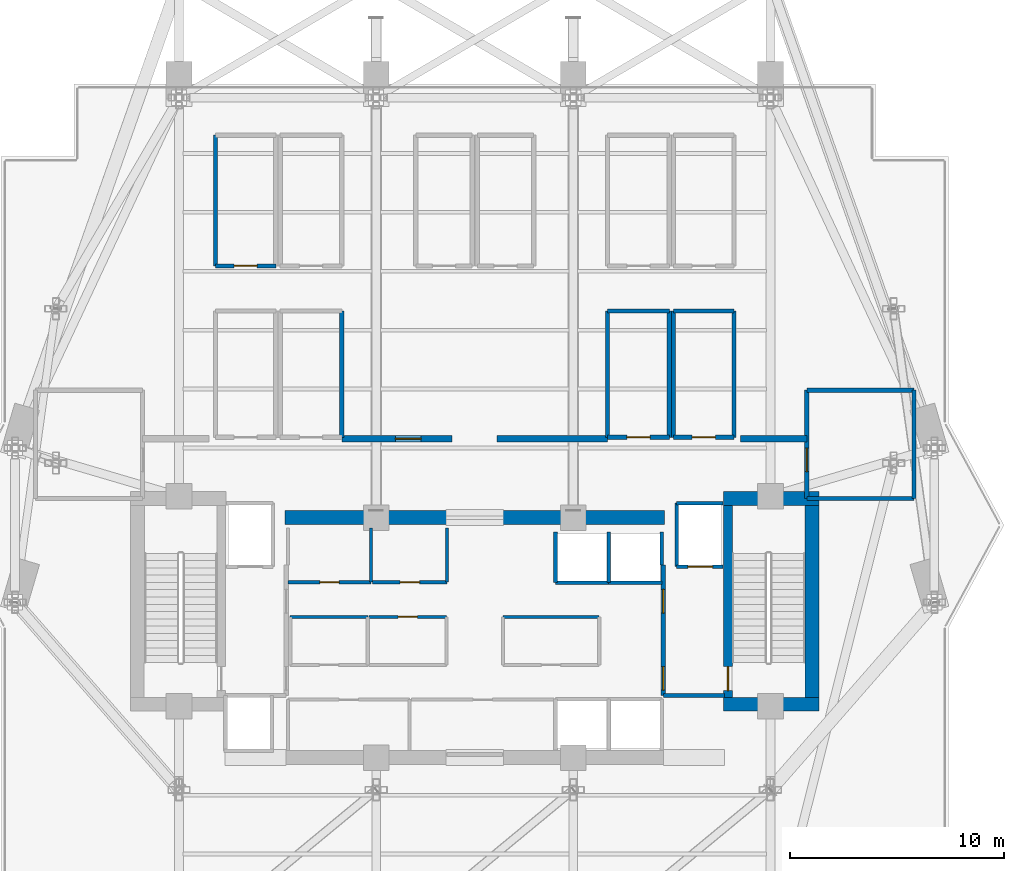
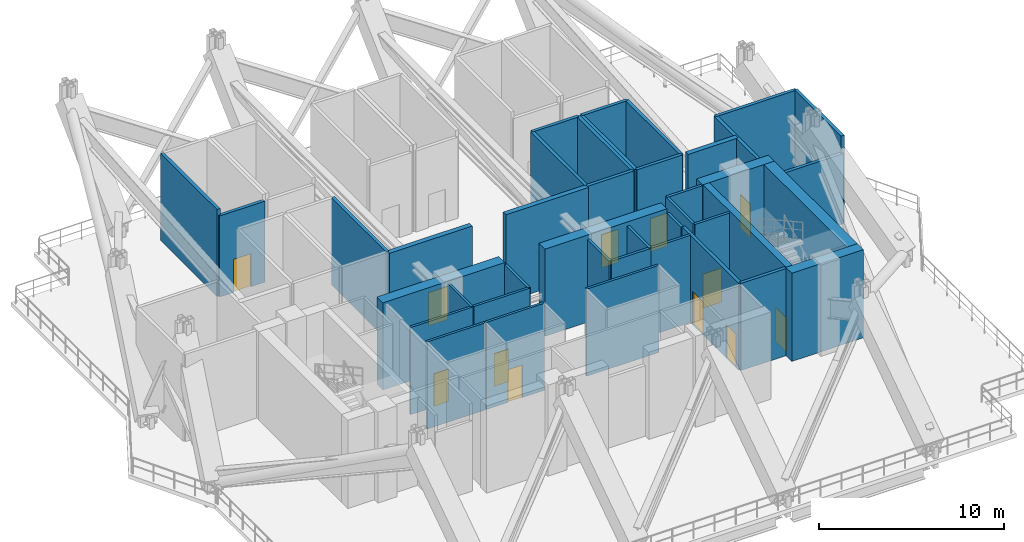
# One storey, part 13 of 18: 41 walls, 12 doors, 12 openings.
"""IFC4 building model written with IfcOpenShell, lengths in metres."""

import ifcopenshell
import ifcopenshell.guid

model = None  # the IFC model being written
_history = None  # IfcOwnerHistory: only IFC2X3 demands one
_inside = {}  # id of a spatial element -> (the spatial element, [elements in it])
_under = {}  # id of a project, library or spatial element -> (it, [spatial elements below it])
_declared = {}  # id of a project -> (the project, [libraries it declares])
_typed = {}  # id of a type object -> (the type object, [elements of that type])
_made_of = {}  # id of a material, layer set ... -> (it, [elements and type objects made of it])


def new_model(schema):
    """Start an empty IFC model of exactly this schema.

    Asked for "IFC4X3", IfcOpenShell would pick the latest addendum, in which some entities
    have other attributes; the version numbers below select the first issue.
    IFC2X3 requires an IfcOwnerHistory on every rooted entity: one is made here for all.
    """
    global model, _history
    if schema == "IFC4X3":
        model = ifcopenshell.file(schema_version=(4, 3, 0, 0))
    else:
        model = ifcopenshell.file(schema=schema)
    _inside.clear()
    _under.clear()
    _declared.clear()
    _typed.clear()
    _made_of.clear()
    _history = None
    if model.schema == "IFC2X3":
        org = make("IfcOrganization", Name="unknown")
        user = make(
            "IfcPersonAndOrganization",
            ThePerson=make("IfcPerson", FamilyName="unknown"),
            TheOrganization=org,
        )
        app = make(
            "IfcApplication",
            ApplicationDeveloper=org,
            Version="unknown",
            ApplicationFullName="unknown",
            ApplicationIdentifier="unknown",
        )
        _history = make(
            "IfcOwnerHistory",
            OwningUser=user,
            OwningApplication=app,
            ChangeAction="ADDED",
            CreationDate=0,
        )
    return model


def make(cls, **values):
    """One entity of the class cls with the attributes given. An attribute that is None is left unset."""
    return model.create_entity(
        cls, **{name: value for name, value in values.items() if value is not None}
    )


def rooted(cls, **values):
    """An entity with a GlobalId (a new one), such as an element, a storey or a relation."""
    return make(cls, GlobalId=ifcopenshell.guid.new(), OwnerHistory=_history, **values)


def si_unit(unit_type, name, prefix=None):
    """IfcSIUnit, for example si_unit("LENGTHUNIT", "METRE", prefix="MILLI")."""
    return make("IfcSIUnit", UnitType=unit_type, Prefix=prefix, Name=name)


def assignment(units):
    """IfcUnitAssignment: the units of a project."""
    return None if units is None else make("IfcUnitAssignment", Units=units)


def point(xyz):
    """IfcCartesianPoint."""
    return None if xyz is None else make("IfcCartesianPoint", Coordinates=xyz)


def direction(xyz):
    """IfcDirection."""
    return None if xyz is None else make("IfcDirection", DirectionRatios=xyz)


def frame(location, z_axis=None, x_axis=None):
    """IfcAxis2Placement3D, a coordinate frame: its origin and axes. An axis left out is left unset."""
    return make(
        "IfcAxis2Placement3D",
        Location=point(location),
        Axis=direction(z_axis),
        RefDirection=direction(x_axis),
    )


def frame_2d(location, x_axis=None):
    """IfcAxis2Placement2D, a coordinate frame in the plane: its origin and x axis."""
    return make(
        "IfcAxis2Placement2D", Location=point(location), RefDirection=direction(x_axis)
    )


def origin():
    """The frame at (0, 0, 0) with its axes left unset."""
    return frame((0.0, 0.0, 0.0))


def place(relative_to, where):
    """IfcLocalPlacement: puts the frame where relative to a parent placement (None: the world)."""
    return make(
        "IfcLocalPlacement", PlacementRelTo=relative_to, RelativePlacement=where
    )


def context(
    kind, dimensions, precision=None, world=None, true_north=None, identifier=None
):
    """IfcGeometricRepresentationContext, for example the 3D "Model" context."""
    return make(
        "IfcGeometricRepresentationContext",
        ContextIdentifier=identifier,
        ContextType=kind,
        CoordinateSpaceDimension=dimensions,
        Precision=precision,
        WorldCoordinateSystem=world,
        TrueNorth=true_north,
    )


def subcontext(parent, identifier, kind, view, scale=None):
    """IfcGeometricRepresentationSubContext, for example "Body" below "Model"."""
    return make(
        "IfcGeometricRepresentationSubContext",
        ContextIdentifier=identifier,
        ContextType=kind,
        ParentContext=parent,
        TargetScale=scale,
        TargetView=view,
    )


def project(units=None, contexts=None):
    """IfcProject with its units and contexts."""
    return rooted(
        "IfcProject",
        Name="project",
        RepresentationContexts=contexts,
        UnitsInContext=assignment(units),
    )


def spatial(cls, under=None, at=None, **own):
    """A site, building, storey or space (cls), placed at a placement, below another one or the project."""
    s = rooted(cls, ObjectPlacement=at, **own)
    if under is not None:
        _under.setdefault(under.id(), (under, []))[1].append(s)
    return s


def profile(cls, at=None, kind="AREA", **sizes):
    """A parametric profile (cls). Its sizes go by their IFC names, for example OverallWidth=200.0."""
    return make(cls, ProfileType=kind, Position=at, **sizes)


def rectangle(**sizes):
    """IfcRectangleProfileDef."""
    return profile("IfcRectangleProfileDef", **sizes)


def extrude(swept, where, along, depth):
    """IfcExtrudedAreaSolid: the profile swept, set in the frame where, extruded along a direction by depth."""
    return make(
        "IfcExtrudedAreaSolid",
        SweptArea=swept,
        Position=where,
        ExtrudedDirection=direction(along),
        Depth=depth,
    )


def shape(context_of_items, identifier, shape_type, items):
    """IfcShapeRepresentation: the items that make up one representation, for example the "Body"."""
    return make(
        "IfcShapeRepresentation",
        ContextOfItems=context_of_items,
        RepresentationIdentifier=identifier,
        RepresentationType=shape_type,
        Items=items,
    )


def material(Name=None, Category=None):
    """IfcMaterial."""
    return make("IfcMaterial", Name=Name, Category=Category)


def layer(
    of_material, thickness, ventilated=None, Name=None, Category=None, Priority=None
):
    """IfcMaterialLayer: one layer of a wall or slab, of a material (None: an air gap)."""
    return make(
        "IfcMaterialLayer",
        Material=of_material,
        LayerThickness=thickness,
        IsVentilated=ventilated,
        Name=Name,
        Category=Category,
        Priority=Priority,
    )


def layer_set(layers, Name=None):
    """IfcMaterialLayerSet."""
    return make("IfcMaterialLayerSet", MaterialLayers=layers, LayerSetName=Name)


def made_of(thing, what):
    """Note that an element or type object is made of a material, layer set ...; save() writes the relation."""
    if what is not None:
        _made_of.setdefault(what.id(), (what, []))[1].append(thing)
    return thing


def type_object(cls, material=None, **own):
    """A type object (cls), such as IfcWallType, which elements share."""
    return made_of(rooted(cls, **own), material)


def element(
    cls,
    number,
    at=None,
    inside=None,
    cuts=None,
    type_object=None,
    material=None,
    context=None,
    identifier="Body",
    shape_type=None,
    held_by="IfcProductDefinitionShape",
    body=None,
    shapes=None,
    **own,
):
    """One element of the class cls, such as IfcWall. Its Tag is "e" and its number.

    at: its placement. inside: the storey or other place that contains it. cuts: it is an
    opening in that element (IfcRelVoidsElement). A single representation is given by context,
    identifier, shape_type and body (its items); several are given by shapes. held_by: the class
    of the entity that holds the representations. save() writes the other relations.
    """
    e = rooted(cls, Tag="e%d" % number, ObjectPlacement=at, **own)
    if body is not None:
        shapes = [shape(context, identifier, shape_type, body)]
    if shapes is not None:
        e.Representation = make(held_by, Representations=shapes)
    if inside is not None:
        _inside.setdefault(inside.id(), (inside, []))[1].append(e)
    if cuts is not None:
        rooted(
            "IfcRelVoidsElement", RelatingBuildingElement=cuts, RelatedOpeningElement=e
        )
    if type_object is not None:
        _typed.setdefault(type_object.id(), (type_object, []))[1].append(e)
    return made_of(e, material)


def fill(opening, filler):
    """IfcRelFillsElement: the door or window that sits in an opening."""
    return rooted(
        "IfcRelFillsElement",
        RelatingOpeningElement=opening,
        RelatedBuildingElement=filler,
    )


def aggregate(whole, parts):
    """IfcRelAggregates: a whole, such as a stair, and the parts it consists of."""
    return rooted("IfcRelAggregates", RelatingObject=whole, RelatedObjects=parts)


def save(model, path):
    """Write the relations noted so far, then the file.

    IfcRelAggregates (storeys below a building ...), IfcRelContainedInSpatialStructure (elements
    in a storey), IfcRelDefinesByType, IfcRelAssociatesMaterial and IfcRelDeclares: one each for
    every whole, place, type object, material and project.
    """
    for whole, parts in _under.values():
        aggregate(whole, parts)
    for where, things in _inside.values():
        rooted(
            "IfcRelContainedInSpatialStructure",
            RelatedElements=things,
            RelatingStructure=where,
        )
    for kind, things in _typed.values():
        rooted("IfcRelDefinesByType", RelatedObjects=things, RelatingType=kind)
    for what, things in _made_of.values():
        rooted("IfcRelAssociatesMaterial", RelatedObjects=things, RelatingMaterial=what)
    for by, libraries in _declared.values():
        rooted("IfcRelDeclares", RelatingContext=by, RelatedDefinitions=libraries)
    model.write(path)


model = new_model("IFC4")

# Units and contexts
model_context = context("Model", 3, precision=1e-05, world=origin(), true_north=direction((0.0, 1.0)))
body_context = subcontext(model_context, "Body", "Model", "MODEL_VIEW")
ifc_project = project(units=[si_unit("LENGTHUNIT", "METRE"), si_unit("AREAUNIT", "SQUARE_METRE"), si_unit("VOLUMEUNIT", "CUBIC_METRE"), si_unit("PLANEANGLEUNIT", "RADIAN"), si_unit("MASSUNIT", "GRAM", prefix="KILO")], contexts=[model_context])

# Site, building, storey
site_placement = place(None, origin())
site = spatial("IfcSite", under=ifc_project, at=site_placement, CompositionType="ELEMENT")
building_placement = place(site_placement, origin())
building = spatial("IfcBuilding", under=site, at=building_placement, Name="Zuhayl Quay Hotel", CompositionType="ELEMENT")
storey_placement = place(building_placement, frame((0.0, 0.0, 233.64990234375)))
storey = spatial("IfcBuildingStorey", under=building, at=storey_placement, Name="L59", CompositionType="ELEMENT", Elevation=233.64990234375)

# Walls
ifc_material_1 = material(Name="Concrete C50/60", Category="concrete")
ifc_layer_1 = layer(ifc_material_1, 0.64990234375, Name="Concrete C50/60", Category="concrete")
ifc_layer_set_1 = layer_set([ifc_layer_1], Name="Concrete C50/60")
wall_type_1 = type_object("IfcWallType", Name="WL_CORE_650", PredefinedType="SHEAR", material=ifc_layer_set_1)
wall_1_placement = place(storey_placement, frame((11.60009765625, 14.2548828125, 0.0), z_axis=(0.0, 0.0, 1.0), x_axis=(1.0, 0.0, 0.0)))
element("IfcWall", 1, at=wall_1_placement, inside=storey, type_object=wall_type_1, Name="L59 Core Shear Wall CW_NE", PredefinedType="SHEAR", context=body_context, shape_type="SweptSolid", body=[
    extrude(rectangle(XDim=4.4599609375, YDim=0.64990234375, at=frame_2d((2.22998046875, 0.0))), origin(), (0.0, 0.0, 1.0), 5.81005859375),
])
wall_2_placement = place(storey_placement, frame((15.735107421875, 4.969970703125, 0.0), z_axis=(0.0, 0.0, 1.0), x_axis=(0.0, 1.0, 0.0)))
element("IfcWall", 2, at=wall_2_placement, inside=storey, type_object=wall_type_1, Name="L59 Core Shear Wall CW_E", PredefinedType="SHEAR", context=body_context, shape_type="SweptSolid", body=[
    extrude(rectangle(XDim=8.9599609375, YDim=0.64990234375, at=frame_2d((4.47998046875, 0.0))), origin(), (0.0, 0.0, 1.0), 5.81005859375),
])
wall_3_placement = place(storey_placement, frame((11.60009765625, 4.64501953125, 0.0), z_axis=(0.0, 0.0, 1.0), x_axis=(1.0, 0.0, 0.0)))
element("IfcWall", 3, at=wall_3_placement, inside=storey, type_object=wall_type_1, Name="L59 Core Shear Wall CW_SE", PredefinedType="SHEAR", context=body_context, shape_type="SweptSolid", body=[
    extrude(rectangle(XDim=4.4599609375, YDim=0.64990234375, at=frame_2d((2.22998046875, 0.0))), origin(), (0.0, 0.0, 1.0), 5.81005859375),
])
for number, where, z_axis, x_axis, name in (
    (4, (-8.85009765625, 13.35009765625, 0.0), (0.0, 0.0, 1.0), (1.0, 0.0, 0.0), "L59 Core Shear Wall CW_NC_W"),
    (5, (1.25, 13.35009765625, 0.0), (0.0, 0.0, 1.0), (1.0, 0.0, 0.0), "L59 Core Shear Wall CW_NC_E"),
):
    element("IfcWall", number, at=place(storey_placement, frame(where, z_axis=z_axis, x_axis=x_axis)), inside=storey, type_object=wall_type_1, Name=name, PredefinedType="SHEAR", context=body_context, shape_type="SweptSolid", body=[
        extrude(rectangle(XDim=7.60009765625, YDim=0.64990234375, at=frame_2d((3.800048828125, 0.0))), origin(), (0.0, 0.0, 1.0), 5.739990234375),
    ])
ifc_material_2 = material(Name="Precast concrete C45/55", Category="concrete")
ifc_layer_2 = layer(ifc_material_2, 0.300048828125, Name="Precast concrete C45/55", Category="concrete")
ifc_layer_set_2 = layer_set([ifc_layer_2], Name="Precast concrete C45/55")
wall_type_2 = type_object("IfcWallType", Name="WL_EXT_300", PredefinedType="STANDARD", material=ifc_layer_set_2)
wall_4_placement = place(storey_placement, frame((12.39990234375, 17.030029296875, 0.0), z_axis=(0.0, 0.0, 1.0), x_axis=(1.0, 0.0, 0.0)))
element("IfcWall", 6, at=wall_4_placement, inside=storey, type_object=wall_type_2, Name="L59 Exterior Precast Wall EW_WIND_NE_L59", PredefinedType="STANDARD", context=body_context, shape_type="SweptSolid", body=[
    extrude(rectangle(XDim=3.10009765625, YDim=0.300048828125, at=frame_2d((1.550048828125, 0.0))), origin(), (0.0, 0.0, 1.0), 5.739990234375),
])

# Wall, opening, door
wall_5_placement = place(storey_placement, frame((-6.199951171875, 17.030029296875, 0.0), z_axis=(0.0, 0.0, 1.0), x_axis=(1.0, 0.0, 0.0)))
wall_5 = element("IfcWall", 7, at=wall_5_placement, inside=storey, type_object=wall_type_2, Name="L59 Exterior Precast Wall EW_WIND_ACC_L59", PredefinedType="STANDARD", context=body_context, shape_type="SweptSolid", body=[
    extrude(rectangle(XDim=5.14990234375, YDim=0.300048828125, at=frame_2d((2.574951171875, 0.0))), origin(), (0.0, 0.0, 1.0), 5.739990234375),
])
opening_1_placement = place(wall_5_placement, frame((2.5, 0.0, 0.0)))
opening_1 = element("IfcOpeningElement", 8, at=opening_1_placement, cuts=wall_5, Name="Opening DE2", PredefinedType="OPENING", context=body_context, shape_type="SweptSolid", body=[
    extrude(rectangle(XDim=1.199951171875, YDim=2.199951171875, at=frame_2d((0.60009765625, 1.10009765625))), frame((0.0, 0.159912109375, 0.0), z_axis=(0.0, -1.0, 0.0), x_axis=(1.0, 0.0, 0.0)), (0.0, 0.0, 1.0), 0.320068359375),
])
ifc_material_3 = material(Name="Steel ASTM A992 Grade 50", Category="steel")
door_type_1 = type_object("IfcDoorType", Name="DR_EXT_EXIT_1200", OperationType="NOTDEFINED", PredefinedType="DOOR", material=ifc_material_3)
door_1_placement = place(opening_1_placement, origin())
door_1 = element("IfcDoor", 9, at=door_1_placement, inside=storey, type_object=door_type_1, Name="L59 Open Wind-Deck Maintenance Door", OperationType="SINGLE_SWING_LEFT", OverallHeight=2.199951171875, OverallWidth=1.199951171875, PredefinedType="DOOR", context=body_context, shape_type="SweptSolid", body=[
    extrude(rectangle(XDim=1.199951171875, YDim=2.199951171875, at=frame_2d((0.60009765625, 1.10009765625))), frame((0.0, 0.02490234375, 0.0), z_axis=(0.0, -1.0, 0.0), x_axis=(1.0, 0.0, 0.0)), (0.0, 0.0, 1.0), 0.050048828125),
])
fill(opening_1, door_1)

# Wall
wall_6_placement = place(storey_placement, frame((1.050048828125, 17.030029296875, 0.0), z_axis=(0.0, 0.0, 1.0), x_axis=(1.0, 0.0, 0.0)))
element("IfcWall", 10, at=wall_6_placement, inside=storey, type_object=wall_type_2, Name="L59 Exterior Precast Wall EW_WIND_NMC_L59", PredefinedType="STANDARD", context=body_context, shape_type="SweptSolid", body=[
    extrude(rectangle(XDim=5.14990234375, YDim=0.300048828125, at=frame_2d((2.574951171875, 0.0))), origin(), (0.0, 0.0, 1.0), 5.739990234375),
])

# Wall, opening, door
ifc_material_4 = material(Name="Acoustic Gypsum Partition STC-58")
ifc_layer_3 = layer(ifc_material_4, 0.14990234375, Name="Acoustic Gypsum Partition STC-58")
ifc_layer_set_3 = layer_set([ifc_layer_3], Name="Acoustic Gypsum Partition STC-58")
wall_type_3 = type_object("IfcWallType", Name="WL_PART_150", PredefinedType="PARTITIONING", material=ifc_layer_set_3)
wall_7_placement = place(storey_placement, frame((-8.7099609375, 10.340087890625, 0.0), z_axis=(0.0, 0.0, 1.0), x_axis=(1.0, 0.0, 0.0)))
wall_7 = element("IfcWall", 11, at=wall_7_placement, inside=storey, type_object=wall_type_3, Name="L59 Partition IW_L59_FMP_NW1_S", PredefinedType="PARTITIONING", context=body_context, shape_type="SweptSolid", body=[
    extrude(rectangle(XDim=3.869873046875, YDim=0.14990234375, at=frame_2d((1.93505859375, 0.0))), origin(), (0.0, 0.0, 1.0), 5.739990234375),
])
opening_2_placement = place(wall_7_placement, frame((1.485107421875, 0.0, 0.0)))
opening_2 = element("IfcOpeningElement", 12, at=opening_2_placement, cuts=wall_7, Name="Opening D06", PredefinedType="OPENING", context=body_context, shape_type="SweptSolid", body=[
    extrude(rectangle(XDim=0.89990234375, YDim=2.14990234375, at=frame_2d((0.449951171875, 1.074951171875))), frame((0.0, 0.0849609375, 0.0), z_axis=(0.0, -1.0, 0.0), x_axis=(1.0, 0.0, 0.0)), (0.0, 0.0, 1.0), 0.169921875),
])
door_type_2 = type_object("IfcDoorType", Name="DR_INT_900", OperationType="NOTDEFINED", PredefinedType="DOOR", material=ifc_material_3)
door_2_placement = place(opening_2_placement, origin())
door_2 = element("IfcDoor", 13, at=door_2_placement, inside=storey, type_object=door_type_2, Name="L59 High-Zone Valet Store Door", OperationType="SINGLE_SWING_LEFT", OverallHeight=2.14990234375, OverallWidth=0.89990234375, PredefinedType="DOOR", context=body_context, shape_type="SweptSolid", body=[
    extrude(rectangle(XDim=0.89990234375, YDim=2.14990234375, at=frame_2d((0.449951171875, 1.074951171875))), frame((0.0, 0.02490234375, 0.0), z_axis=(0.0, -1.0, 0.0), x_axis=(1.0, 0.0, 0.0)), (0.0, 0.0, 1.0), 0.050048828125),
])
fill(opening_2, door_2)

wall_8_placement = place(storey_placement, frame((-4.760009765625, 10.340087890625, 0.0), z_axis=(0.0, 0.0, 1.0), x_axis=(1.0, 0.0, 0.0)))
wall_8 = element("IfcWall", 14, at=wall_8_placement, inside=storey, type_object=wall_type_3, Name="L59 Partition IW_L59_FMP_NW2_S", PredefinedType="PARTITIONING", context=body_context, shape_type="SweptSolid", body=[
    extrude(rectangle(XDim=3.469970703125, YDim=0.14990234375, at=frame_2d((1.73486328125, 0.0))), origin(), (0.0, 0.0, 1.0), 5.739990234375),
])
opening_3_placement = place(wall_8_placement, frame((1.284912109375, 0.0, 0.0)))
opening_3 = element("IfcOpeningElement", 15, at=opening_3_placement, cuts=wall_8, Name="Opening D06", PredefinedType="OPENING", context=body_context, shape_type="SweptSolid", body=[
    extrude(rectangle(XDim=0.89990234375, YDim=2.14990234375, at=frame_2d((0.449951171875, 1.074951171875))), frame((0.0, 0.0849609375, 0.0), z_axis=(0.0, -1.0, 0.0), x_axis=(1.0, 0.0, 0.0)), (0.0, 0.0, 1.0), 0.169921875),
])
door_3_placement = place(opening_3_placement, origin())
door_3 = element("IfcDoor", 16, at=door_3_placement, inside=storey, type_object=door_type_2, Name="L59 North Linen Closet Door", OperationType="SINGLE_SWING_RIGHT", OverallHeight=2.14990234375, OverallWidth=0.89990234375, PredefinedType="DOOR", context=body_context, shape_type="SweptSolid", body=[
    extrude(rectangle(XDim=0.89990234375, YDim=2.14990234375, at=frame_2d((0.449951171875, 1.074951171875))), frame((0.0, 0.02490234375, 0.0), z_axis=(0.0, -1.0, 0.0), x_axis=(1.0, 0.0, 0.0)), (0.0, 0.0, 1.0), 0.050048828125),
])
fill(opening_3, door_3)

wall_9_placement = place(storey_placement, frame((-4.929931640625, 8.719970703125, 0.0), z_axis=(0.0, 0.0, 1.0), x_axis=(1.0, 0.0, 0.0)))
wall_9 = element("IfcWall", 17, at=wall_9_placement, inside=storey, type_object=wall_type_3, Name="L59 Partition IW_L59_CORE_BM_N", PredefinedType="PARTITIONING", context=body_context, shape_type="SweptSolid", body=[
    extrude(rectangle(XDim=3.60986328125, YDim=0.14990234375, at=frame_2d((1.804931640625, 0.0))), origin(), (0.0, 0.0, 1.0), 5.739990234375),
])
opening_4_placement = place(wall_9_placement, frame((1.35498046875, 0.0, 0.0)))
opening_4 = element("IfcOpeningElement", 18, at=opening_4_placement, cuts=wall_9, Name="Opening D06", PredefinedType="OPENING", context=body_context, shape_type="SweptSolid", body=[
    extrude(rectangle(XDim=0.89990234375, YDim=2.14990234375, at=frame_2d((0.449951171875, 1.074951171875))), frame((0.0, 0.0849609375, 0.0), z_axis=(0.0, -1.0, 0.0), x_axis=(1.0, 0.0, 0.0)), (0.0, 0.0, 1.0), 0.169921875),
])
door_4_placement = place(opening_4_placement, origin())
door_4 = element("IfcDoor", 19, at=door_4_placement, inside=storey, type_object=door_type_2, Name="L59 Telecom and BMS Closet Door", OperationType="SINGLE_SWING_RIGHT", OverallHeight=2.14990234375, OverallWidth=0.89990234375, PredefinedType="DOOR", context=body_context, shape_type="SweptSolid", body=[
    extrude(rectangle(XDim=0.89990234375, YDim=2.14990234375, at=frame_2d((0.449951171875, 1.074951171875))), frame((0.0, 0.02490234375, 0.0), z_axis=(0.0, -1.0, 0.0), x_axis=(1.0, 0.0, 0.0)), (0.0, 0.0, 1.0), 0.050048828125),
])
fill(opening_4, door_4)

# Walls
for number, where, z_axis, x_axis, name in (
    (20, (-4.840087890625, 10.340087890625, 0.0), (0.0, 0.0, 1.0), (0.0, 1.0, 0.0), "L59 Partition IW_L59_FMP_NW1_E"),
    (21, (-1.2900390625, 10.340087890625, 0.0), (0.0, 0.0, 1.0), (0.0, 1.0, 0.0), "L59 Partition IW_L59_FMP_NW2_E"),
):
    element("IfcWall", number, at=place(storey_placement, frame(where, z_axis=z_axis, x_axis=x_axis)), inside=storey, type_object=wall_type_3, Name=name, PredefinedType="PARTITIONING", context=body_context, shape_type="SweptSolid", body=[
        extrude(rectangle(XDim=2.52001953125, YDim=0.14990234375, at=frame_2d((1.260009765625, 0.0))), origin(), (0.0, 0.0, 1.0), 5.739990234375),
    ])
wall_10_placement = place(storey_placement, frame((-8.610107421875, 8.719970703125, 0.0), z_axis=(0.0, 0.0, 1.0), x_axis=(1.0, 0.0, 0.0)))
element("IfcWall", 22, at=wall_10_placement, inside=storey, type_object=wall_type_3, Name="L59 Partition IW_L59_CORE_SW_N", PredefinedType="PARTITIONING", context=body_context, shape_type="SweptSolid", body=[
    extrude(rectangle(XDim=3.6201171875, YDim=0.14990234375, at=frame_2d((1.81005859375, 0.0))), origin(), (0.0, 0.0, 1.0), 5.739990234375),
])
wall_11_placement = place(storey_placement, frame((1.320068359375, 8.719970703125, 0.0), z_axis=(0.0, 0.0, 1.0), x_axis=(1.0, 0.0, 0.0)))
element("IfcWall", 23, at=wall_11_placement, inside=storey, type_object=wall_type_3, Name="L59 Partition IW_L59_CORE_PN_N", PredefinedType="PARTITIONING", context=body_context, shape_type="SweptSolid", body=[
    extrude(rectangle(XDim=4.489990234375, YDim=0.14990234375, at=frame_2d((2.2451171875, 0.0))), origin(), (0.0, 0.0, 1.0), 5.739990234375),
])

# Wall, opening, door
ifc_material_5 = material(Name="Gypsum Fireboard Assembly EI-90")
ifc_layer_4 = layer(ifc_material_5, 0.1650390625, Name="Gypsum Fireboard Assembly EI-90")
ifc_layer_set_4 = layer_set([ifc_layer_4], Name="Gypsum Fireboard Assembly EI-90")
wall_type_4 = type_object("IfcWallType", Name="WL_PART_SHAFT_160", PredefinedType="PARTITIONING", material=ifc_layer_set_4)
wall_12_placement = place(storey_placement, frame((9.419921875, 11.070068359375, 0.0), z_axis=(0.0, 0.0, 1.0), x_axis=(1.0, 0.0, 0.0)))
wall_12 = element("IfcWall", 24, at=wall_12_placement, inside=storey, type_object=wall_type_4, Name="L59 Partition IW_L59_SH_FL2_F", PredefinedType="PARTITIONING", context=body_context, shape_type="SweptSolid", body=[
    extrude(rectangle(XDim=2.16015625, YDim=0.1650390625, at=frame_2d((1.080078125, 0.0))), origin(), (0.0, 0.0, 1.0), 5.739990234375),
])
opening_5_placement = place(wall_12_placement, frame((0.530029296875, 0.0, 0.0)))
opening_5 = element("IfcOpeningElement", 25, at=opening_5_placement, cuts=wall_12, Name="Opening LD2", PredefinedType="OPENING", context=body_context, shape_type="SweptSolid", body=[
    extrude(rectangle(XDim=1.14990234375, YDim=2.25, at=frame_2d((0.574951171875, 1.125))), frame((0.0, 0.092529296875, 0.0), z_axis=(0.0, -1.0, 0.0), x_axis=(1.0, 0.0, 0.0)), (0.0, 0.0, 1.0), 0.18505859375),
])
ifc_material_6 = material(Name="Brushed Stainless Steel", Category="steel")
door_type_3 = type_object("IfcDoorType", Name="DR_LIFT_FF_1100", OperationType="SLIDING_TO_LEFT", PredefinedType="DOOR", material=ifc_material_6)
door_5_placement = place(opening_5_placement, origin())
door_5 = element("IfcDoor", 26, at=door_5_placement, inside=storey, type_object=door_type_3, Name="L59 Lift FL2 Sliding Landing Door", OperationType="SLIDING_TO_LEFT", OverallHeight=2.25, OverallWidth=1.14990234375, PredefinedType="DOOR", context=body_context, shape_type="SweptSolid", body=[
    extrude(rectangle(XDim=1.14990234375, YDim=2.25, at=frame_2d((0.574951171875, 1.125))), frame((0.0, 0.02490234375, 0.0), z_axis=(0.0, -1.0, 0.0), x_axis=(1.0, 0.0, 0.0)), (0.0, 0.0, 1.0), 0.050048828125),
])
fill(opening_5, door_5)

# Walls
wall_13_placement = place(storey_placement, frame((9.419921875, 11.070068359375, 0.0), z_axis=(0.0, 0.0, 1.0), x_axis=(0.0, 1.0, 0.0)))
element("IfcWall", 27, at=wall_13_placement, inside=storey, type_object=wall_type_4, Name="L59 Partition IW_L59_SH_FL2_W", PredefinedType="PARTITIONING", context=body_context, shape_type="SweptSolid", body=[
    extrude(rectangle(XDim=2.9599609375, YDim=0.1650390625, at=frame_2d((1.47998046875, 0.0))), origin(), (0.0, 0.0, 1.0), 5.739990234375),
])
wall_14_placement = place(storey_placement, frame((9.419921875, 14.030029296875, 0.0), z_axis=(0.0, 0.0, 1.0), x_axis=(1.0, 0.0, 0.0)))
element("IfcWall", 28, at=wall_14_placement, inside=storey, type_object=wall_type_4, Name="L59 Partition IW_L59_SH_FL2_B", PredefinedType="PARTITIONING", context=body_context, shape_type="SweptSolid", body=[
    extrude(rectangle(XDim=2.16015625, YDim=0.1650390625, at=frame_2d((1.080078125, 0.0))), origin(), (0.0, 0.0, 1.0), 5.739990234375),
])
wall_15_placement = place(storey_placement, frame((3.77001953125, 10.320068359375, 0.0), z_axis=(0.0, 0.0, 1.0), x_axis=(1.0, 0.0, 0.0)))
element("IfcWall", 29, at=wall_15_placement, inside=storey, type_object=wall_type_4, Name="L59 Partition IW_L59_SH_HP3_F", PredefinedType="PARTITIONING", context=body_context, shape_type="SweptSolid", body=[
    extrude(rectangle(XDim=2.47998046875, YDim=0.1650390625, at=frame_2d((1.239990234375, 0.0))), origin(), (0.0, 0.0, 1.0), 5.739990234375),
])
for number, where, z_axis, x_axis, name in (
    (30, (3.77001953125, 10.320068359375, 0.0), (0.0, 0.0, 1.0), (0.0, 1.0, 0.0), "L59 Partition IW_L59_SH_HP3_W"),
    (31, (6.25, 10.320068359375, 0.0), (0.0, 0.0, 1.0), (0.0, 1.0, 0.0), "L59 Partition IW_L59_SH_HP3_E"),
):
    element("IfcWall", number, at=place(storey_placement, frame(where, z_axis=z_axis, x_axis=x_axis)), inside=storey, type_object=wall_type_4, Name=name, PredefinedType="PARTITIONING", context=body_context, shape_type="SweptSolid", body=[
        extrude(rectangle(XDim=2.35986328125, YDim=0.1650390625, at=frame_2d((1.179931640625, 0.0))), origin(), (0.0, 0.0, 1.0), 5.739990234375),
    ])
wall_16_placement = place(storey_placement, frame((6.25, 10.320068359375, 0.0), z_axis=(0.0, 0.0, 1.0), x_axis=(1.0, 0.0, 0.0)))
element("IfcWall", 32, at=wall_16_placement, inside=storey, type_object=wall_type_4, Name="L59 Partition IW_L59_SH_HP4_F", PredefinedType="PARTITIONING", context=body_context, shape_type="SweptSolid", body=[
    extrude(rectangle(XDim=2.47998046875, YDim=0.1650390625, at=frame_2d((1.239990234375, 0.0))), origin(), (0.0, 0.0, 1.0), 5.739990234375),
])
wall_17_placement = place(storey_placement, frame((8.72998046875, 11.14990234375, 0.0), z_axis=(0.0, 0.0, 1.0), x_axis=(0.0, 1.0, 0.0)))
element("IfcWall", 33, at=wall_17_placement, inside=storey, type_object=wall_type_4, Name="L59 Partition IW_L59_SH_HP4_E", PredefinedType="PARTITIONING", context=body_context, shape_type="SweptSolid", body=[
    extrude(rectangle(XDim=1.530029296875, YDim=0.1650390625, at=frame_2d((0.76513671875, 0.0))), origin(), (0.0, 0.0, 1.0), 5.739990234375),
])

# Wall, openings, doors
ifc_material_7 = material(Name="Gypsum Fireboard Assembly EI-120")
ifc_layer_5 = layer(ifc_material_7, 0.199951171875, Name="Gypsum Fireboard Assembly EI-120")
ifc_layer_set_5 = layer_set([ifc_layer_5], Name="Gypsum Fireboard Assembly EI-120")
wall_type_5 = type_object("IfcWallType", Name="WL_PART_SHAFT_200", PredefinedType="PARTITIONING", material=ifc_layer_set_5)
wall_18_placement = place(storey_placement, frame((8.800048828125, 11.14990234375, 0.0), z_axis=(0.0, 0.0, 1.0), x_axis=(0.0, -1.0, 0.0)))
wall_18 = element("IfcWall", 34, at=wall_18_placement, inside=storey, type_object=wall_type_5, Name="L59 Partition IW_L59_FSAE_E_W", PredefinedType="PARTITIONING", context=body_context, shape_type="SweptSolid", body=[
    extrude(rectangle(XDim=6.099853515625, YDim=0.199951171875, at=frame_2d((3.0498046875, 0.0))), origin(), (0.0, 0.0, 1.0), 5.739990234375),
])
opening_6_placement = place(wall_18_placement, frame((1.14990234375, 0.0, 0.0)))
opening_6 = element("IfcOpeningElement", 35, at=opening_6_placement, cuts=wall_18, Name="Opening D02", PredefinedType="OPENING", context=body_context, shape_type="SweptSolid", body=[
    extrude(rectangle(XDim=1.10009765625, YDim=2.199951171875, at=frame_2d((0.550048828125, 1.10009765625))), frame((0.0, 0.10986328125, 0.0), z_axis=(0.0, -1.0, 0.0), x_axis=(1.0, 0.0, 0.0)), (0.0, 0.0, 1.0), 0.219970703125),
])
opening_7_placement = place(wall_18_placement, frame((4.75, 0.0, 0.0)))
opening_7 = element("IfcOpeningElement", 36, at=opening_7_placement, cuts=wall_18, Name="Opening D02", PredefinedType="OPENING", context=body_context, shape_type="SweptSolid", body=[
    extrude(rectangle(XDim=1.10009765625, YDim=2.199951171875, at=frame_2d((0.550048828125, 1.10009765625))), frame((0.0, 0.10986328125, 0.0), z_axis=(0.0, -1.0, 0.0), x_axis=(1.0, 0.0, 0.0)), (0.0, 0.0, 1.0), 0.219970703125),
])
door_type_4 = type_object("IfcDoorType", Name="DR_FIRE_90_1100", OperationType="NOTDEFINED", PredefinedType="DOOR", material=ifc_material_3)
door_6_placement = place(opening_6_placement, origin())
door_6 = element("IfcDoor", 37, at=door_6_placement, inside=storey, type_object=door_type_4, Name="L59 FSAE Lobby East North Entry Door", OperationType="SINGLE_SWING_LEFT", OverallHeight=2.199951171875, OverallWidth=1.10009765625, PredefinedType="DOOR", context=body_context, shape_type="SweptSolid", body=[
    extrude(rectangle(XDim=1.10009765625, YDim=2.199951171875, at=frame_2d((0.550048828125, 1.10009765625))), frame((0.0, 0.02490234375, 0.0), z_axis=(0.0, -1.0, 0.0), x_axis=(1.0, 0.0, 0.0)), (0.0, 0.0, 1.0), 0.050048828125),
])
fill(opening_6, door_6)
door_7_placement = place(opening_7_placement, origin())
door_7 = element("IfcDoor", 38, at=door_7_placement, inside=storey, type_object=door_type_4, Name="L59 FSAE Lobby East South Entry Door", OperationType="SINGLE_SWING_RIGHT", OverallHeight=2.199951171875, OverallWidth=1.10009765625, PredefinedType="DOOR", context=body_context, shape_type="SweptSolid", body=[
    extrude(rectangle(XDim=1.10009765625, YDim=2.199951171875, at=frame_2d((0.550048828125, 1.10009765625))), frame((0.0, 0.02490234375, 0.0), z_axis=(0.0, -1.0, 0.0), x_axis=(1.0, 0.0, 0.0)), (0.0, 0.0, 1.0), 0.050048828125),
])
fill(opening_7, door_7)

# Wall, opening, door
wall_19_placement = place(storey_placement, frame((15.5, 19.300048828125, 0.0), z_axis=(0.0, 0.0, 1.0), x_axis=(0.0, -1.0, 0.0)))
wall_19 = element("IfcWall", 39, at=wall_19_placement, inside=storey, type_object=wall_type_5, Name="L59 Partition IW_L59_REF_E_W", PredefinedType="PARTITIONING", context=body_context, shape_type="SweptSolid", body=[
    extrude(rectangle(XDim=5.050048828125, YDim=0.199951171875, at=frame_2d((2.52490234375, 0.0))), origin(), (0.0, 0.0, 1.0), 5.739990234375),
])
opening_8_placement = place(wall_19_placement, frame((2.699951171875, 0.0, 0.0)))
opening_8 = element("IfcOpeningElement", 40, at=opening_8_placement, cuts=wall_19, Name="Opening D02", PredefinedType="OPENING", context=body_context, shape_type="SweptSolid", body=[
    extrude(rectangle(XDim=1.10009765625, YDim=2.199951171875, at=frame_2d((0.550048828125, 1.10009765625))), frame((0.0, 0.10986328125, 0.0), z_axis=(0.0, -1.0, 0.0), x_axis=(1.0, 0.0, 0.0)), (0.0, 0.0, 1.0), 0.219970703125),
])
door_8_placement = place(opening_8_placement, origin())
door_8 = element("IfcDoor", 41, at=door_8_placement, inside=storey, type_object=door_type_4, Name="L59 East Refuge Area Door", OperationType="SINGLE_SWING_LEFT", OverallHeight=2.199951171875, OverallWidth=1.10009765625, PredefinedType="DOOR", context=body_context, shape_type="SweptSolid", body=[
    extrude(rectangle(XDim=1.10009765625, YDim=2.199951171875, at=frame_2d((0.550048828125, 1.10009765625))), frame((0.0, 0.02490234375, 0.0), z_axis=(0.0, -1.0, 0.0), x_axis=(1.0, 0.0, 0.0)), (0.0, 0.0, 1.0), 0.050048828125),
])
fill(opening_8, door_8)

wall_20_placement = place(storey_placement, frame((6.199951171875, 17.10009765625, 0.0), z_axis=(0.0, 0.0, 1.0), x_axis=(1.0, 0.0, 0.0)))
wall_20 = element("IfcWall", 42, at=wall_20_placement, inside=storey, type_object=wall_type_5, Name="L59 Partition IW_L59_MEP_AHU1_S", PredefinedType="PARTITIONING", context=body_context, shape_type="SweptSolid", body=[
    extrude(rectangle(XDim=2.880126953125, YDim=0.199951171875, at=frame_2d((1.43994140625, 0.0))), origin(), (0.0, 0.0, 1.0), 5.739990234375),
])
opening_9_placement = place(wall_20_placement, frame((0.89990234375, 0.0, 0.0)))
opening_9 = element("IfcOpeningElement", 43, at=opening_9_placement, cuts=wall_20, Name="Opening D05A", PredefinedType="OPENING", context=body_context, shape_type="SweptSolid", body=[
    extrude(rectangle(XDim=1.080078125, YDim=2.179931640625, at=frame_2d((0.5400390625, 1.08984375))), frame((0.0, 0.10986328125, 0.0), z_axis=(0.0, -1.0, 0.0), x_axis=(1.0, 0.0, 0.0)), (0.0, 0.0, 1.0), 0.219970703125),
])
ifc_material_8 = material(Name="Solid Walnut Acoustic Fire Door")
door_type_5 = type_object("IfcDoorType", Name="DR_INT_1100", OperationType="NOTDEFINED", PredefinedType="DOOR", material=ifc_material_8)
door_9_placement = place(opening_9_placement, origin())
door_9 = element("IfcDoor", 44, at=door_9_placement, inside=storey, type_object=door_type_5, Name="L59 Primary AHU Plant Room 1 Door", OperationType="SINGLE_SWING_RIGHT", OverallHeight=2.179931640625, OverallWidth=1.080078125, PredefinedType="DOOR", context=body_context, shape_type="SweptSolid", body=[
    extrude(rectangle(XDim=1.080078125, YDim=2.179931640625, at=frame_2d((0.5400390625, 1.08984375))), frame((0.0, 0.02490234375, 0.0), z_axis=(0.0, -1.0, 0.0), x_axis=(1.0, 0.0, 0.0)), (0.0, 0.0, 1.0), 0.050048828125),
])
fill(opening_9, door_9)

wall_21_placement = place(storey_placement, frame((9.280029296875, 17.10009765625, 0.0), z_axis=(0.0, 0.0, 1.0), x_axis=(1.0, 0.0, 0.0)))
wall_21 = element("IfcWall", 45, at=wall_21_placement, inside=storey, type_object=wall_type_5, Name="L59 Partition IW_L59_MEP_AHU2_S", PredefinedType="PARTITIONING", context=body_context, shape_type="SweptSolid", body=[
    extrude(rectangle(XDim=2.820068359375, YDim=0.199951171875, at=frame_2d((1.41015625, 0.0))), origin(), (0.0, 0.0, 1.0), 5.739990234375),
])
opening_10_placement = place(wall_21_placement, frame((0.8701171875, 0.0, 0.0)))
opening_10 = element("IfcOpeningElement", 46, at=opening_10_placement, cuts=wall_21, Name="Opening D05A", PredefinedType="OPENING", context=body_context, shape_type="SweptSolid", body=[
    extrude(rectangle(XDim=1.080078125, YDim=2.179931640625, at=frame_2d((0.5400390625, 1.08984375))), frame((0.0, 0.10986328125, 0.0), z_axis=(0.0, -1.0, 0.0), x_axis=(1.0, 0.0, 0.0)), (0.0, 0.0, 1.0), 0.219970703125),
])
door_10_placement = place(opening_10_placement, origin())
door_10 = element("IfcDoor", 47, at=door_10_placement, inside=storey, type_object=door_type_5, Name="L59 Primary AHU Plant Room 2 Door", OperationType="SINGLE_SWING_LEFT", OverallHeight=2.179931640625, OverallWidth=1.080078125, PredefinedType="DOOR", context=body_context, shape_type="SweptSolid", body=[
    extrude(rectangle(XDim=1.080078125, YDim=2.179931640625, at=frame_2d((0.5400390625, 1.08984375))), frame((0.0, 0.02490234375, 0.0), z_axis=(0.0, -1.0, 0.0), x_axis=(1.0, 0.0, 0.0)), (0.0, 0.0, 1.0), 0.050048828125),
])
fill(opening_10, door_10)

wall_22_placement = place(storey_placement, frame((-12.10009765625, 25.10009765625, 0.0), z_axis=(0.0, 0.0, 1.0), x_axis=(1.0, 0.0, 0.0)))
wall_22 = element("IfcWall", 48, at=wall_22_placement, inside=storey, type_object=wall_type_5, Name="L59 Partition IW_L59_MEP_ELEC_S", PredefinedType="PARTITIONING", context=body_context, shape_type="SweptSolid", body=[
    extrude(rectangle(XDim=2.820068359375, YDim=0.199951171875, at=frame_2d((1.41015625, 0.0))), origin(), (0.0, 0.0, 1.0), 5.336181640625),
])
opening_11_placement = place(wall_22_placement, frame((0.8701171875, 0.0, 0.0)))
opening_11 = element("IfcOpeningElement", 49, at=opening_11_placement, cuts=wall_22, Name="Opening D05A", PredefinedType="OPENING", context=body_context, shape_type="SweptSolid", body=[
    extrude(rectangle(XDim=1.080078125, YDim=2.179931640625, at=frame_2d((0.5400390625, 1.08984375))), frame((0.0, 0.10986328125, 0.0), z_axis=(0.0, -1.0, 0.0), x_axis=(1.0, 0.0, 0.0)), (0.0, 0.0, 1.0), 0.219970703125),
])
door_11_placement = place(opening_11_placement, origin())
door_11 = element("IfcDoor", 50, at=door_11_placement, inside=storey, type_object=door_type_5, Name="L59 Switchgear Plant Room Door", OperationType="SINGLE_SWING_RIGHT", OverallHeight=2.179931640625, OverallWidth=1.080078125, PredefinedType="DOOR", context=body_context, shape_type="SweptSolid", body=[
    extrude(rectangle(XDim=1.080078125, YDim=2.179931640625, at=frame_2d((0.5400390625, 1.08984375))), frame((0.0, 0.02490234375, 0.0), z_axis=(0.0, -1.0, 0.0), x_axis=(1.0, 0.0, 0.0)), (0.0, 0.0, 1.0), 0.050048828125),
])
fill(opening_11, door_11)

# Walls
wall_23_placement = place(storey_placement, frame((8.800048828125, 5.050048828125, 0.0), z_axis=(0.0, 0.0, 1.0), x_axis=(1.0, 0.0, 0.0)))
element("IfcWall", 51, at=wall_23_placement, inside=storey, type_object=wall_type_5, Name="L59 Partition IW_L59_FSAE_E_S", PredefinedType="PARTITIONING", context=body_context, shape_type="SweptSolid", body=[
    extrude(rectangle(XDim=2.849853515625, YDim=0.199951171875, at=frame_2d((1.4248046875, 0.0))), origin(), (0.0, 0.0, 1.0), 5.739990234375),
])
wall_24_placement = place(storey_placement, frame((20.5, 14.25, 0.0), z_axis=(0.0, 0.0, 1.0), x_axis=(0.0, 1.0, 0.0)))
element("IfcWall", 52, at=wall_24_placement, inside=storey, type_object=wall_type_5, Name="L59 Partition IW_L59_REF_E_E", PredefinedType="PARTITIONING", context=body_context, shape_type="SweptSolid", body=[
    extrude(rectangle(XDim=5.050048828125, YDim=0.199951171875, at=frame_2d((2.52490234375, 0.0))), origin(), (0.0, 0.0, 1.0), 5.739990234375),
])
wall_25_placement = place(storey_placement, frame((15.5, 19.300048828125, 0.0), z_axis=(0.0, 0.0, 1.0), x_axis=(1.0, 0.0, 0.0)))
element("IfcWall", 53, at=wall_25_placement, inside=storey, type_object=wall_type_5, Name="L59 Partition IW_L59_REF_E_N", PredefinedType="PARTITIONING", context=body_context, shape_type="SweptSolid", body=[
    extrude(rectangle(XDim=5.0, YDim=0.199951171875, at=frame_2d((2.5, 0.0))), origin(), (0.0, 0.0, 1.0), 5.739990234375),
])
wall_26_placement = place(storey_placement, frame((15.5, 14.25, 0.0), z_axis=(0.0, 0.0, 1.0), x_axis=(1.0, 0.0, 0.0)))
element("IfcWall", 54, at=wall_26_placement, inside=storey, type_object=wall_type_5, Name="L59 Partition IW_L59_REF_E_S", PredefinedType="PARTITIONING", context=body_context, shape_type="SweptSolid", body=[
    extrude(rectangle(XDim=5.0, YDim=0.199951171875, at=frame_2d((2.5, 0.0))), origin(), (0.0, 0.0, 1.0), 4.6220703125),
])
wall_27_placement = place(storey_placement, frame((-6.199951171875, 17.10009765625, 0.0), z_axis=(0.0, 0.0, 1.0), x_axis=(0.0, 1.0, 0.0)))
element("IfcWall", 55, at=wall_27_placement, inside=storey, type_object=wall_type_5, Name="L59 Partition IW_L59_MEP_HEX2_E", PredefinedType="PARTITIONING", context=body_context, shape_type="SweptSolid", body=[
    extrude(rectangle(XDim=5.89990234375, YDim=0.199951171875, at=frame_2d((2.949951171875, 0.0))), origin(), (0.0, 0.0, 1.0), 5.739990234375),
])
wall_28_placement = place(storey_placement, frame((6.199951171875, 23.0, 0.0), z_axis=(0.0, 0.0, 1.0), x_axis=(1.0, 0.0, 0.0)))
element("IfcWall", 56, at=wall_28_placement, inside=storey, type_object=wall_type_5, Name="L59 Partition IW_L59_MEP_AHU1_N", PredefinedType="PARTITIONING", context=body_context, shape_type="SweptSolid", body=[
    extrude(rectangle(XDim=2.880126953125, YDim=0.199951171875, at=frame_2d((1.43994140625, 0.0))), origin(), (0.0, 0.0, 1.0), 5.739990234375),
])
for number, where, z_axis, x_axis, name in (
    (57, (6.199951171875, 17.10009765625, 0.0), (0.0, 0.0, 1.0), (0.0, 1.0, 0.0), "L59 Partition IW_L59_MEP_AHU1_W"),
    (58, (9.080078125, 17.10009765625, 0.0), (0.0, 0.0, 1.0), (0.0, 1.0, 0.0), "L59 Partition IW_L59_MEP_AHU1_E"),
):
    element("IfcWall", number, at=place(storey_placement, frame(where, z_axis=z_axis, x_axis=x_axis)), inside=storey, type_object=wall_type_5, Name=name, PredefinedType="PARTITIONING", context=body_context, shape_type="SweptSolid", body=[
        extrude(rectangle(XDim=5.89990234375, YDim=0.199951171875, at=frame_2d((2.949951171875, 0.0))), origin(), (0.0, 0.0, 1.0), 5.739990234375),
    ])
wall_29_placement = place(storey_placement, frame((9.280029296875, 23.0, 0.0), z_axis=(0.0, 0.0, 1.0), x_axis=(1.0, 0.0, 0.0)))
element("IfcWall", 59, at=wall_29_placement, inside=storey, type_object=wall_type_5, Name="L59 Partition IW_L59_MEP_AHU2_N", PredefinedType="PARTITIONING", context=body_context, shape_type="SweptSolid", body=[
    extrude(rectangle(XDim=2.820068359375, YDim=0.199951171875, at=frame_2d((1.41015625, 0.0))), origin(), (0.0, 0.0, 1.0), 5.739990234375),
])
for number, where, z_axis, x_axis, name in (
    (60, (9.280029296875, 17.10009765625, 0.0), (0.0, 0.0, 1.0), (0.0, 1.0, 0.0), "L59 Partition IW_L59_MEP_AHU2_W"),
    (61, (12.10009765625, 17.10009765625, 0.0), (0.0, 0.0, 1.0), (0.0, 1.0, 0.0), "L59 Partition IW_L59_MEP_AHU2_E"),
):
    element("IfcWall", number, at=place(storey_placement, frame(where, z_axis=z_axis, x_axis=x_axis)), inside=storey, type_object=wall_type_5, Name=name, PredefinedType="PARTITIONING", context=body_context, shape_type="SweptSolid", body=[
        extrude(rectangle(XDim=5.89990234375, YDim=0.199951171875, at=frame_2d((2.949951171875, 0.0))), origin(), (0.0, 0.0, 1.0), 5.739990234375),
    ])
wall_30_placement = place(storey_placement, frame((-12.10009765625, 25.10009765625, 0.0), z_axis=(0.0, 0.0, 1.0), x_axis=(0.0, 1.0, 0.0)))
element("IfcWall", 62, at=wall_30_placement, inside=storey, type_object=wall_type_5, Name="L59 Partition IW_L59_MEP_ELEC_W", PredefinedType="PARTITIONING", context=body_context, shape_type="SweptSolid", body=[
    extrude(rectangle(XDim=6.099853515625, YDim=0.199951171875, at=frame_2d((3.0498046875, 0.0))), origin(), (0.0, 0.0, 1.0), 5.739990234375),
])

# Wall, opening, door
ifc_material_9 = material(Name="Concrete C60/75", Category="concrete")
ifc_layer_6 = layer(ifc_material_9, 0.39990234375, Name="Concrete C60/75", Category="concrete")
ifc_layer_set_6 = layer_set([ifc_layer_6], Name="Concrete C60/75")
wall_type_6 = type_object("IfcWallType", Name="WL_STAIR_400", PredefinedType="SHEAR", material=ifc_layer_set_6)
wall_31_placement = place(storey_placement, frame((11.820068359375, 13.929931640625, 0.0), z_axis=(0.0, 0.0, 1.0), x_axis=(0.0, -1.0, 0.0)))
wall_31 = element("IfcWall", 63, at=wall_31_placement, inside=storey, type_object=wall_type_6, Name="L59 Core Shear Wall SW_ST2", PredefinedType="SHEAR", context=body_context, shape_type="SweptSolid", body=[
    extrude(rectangle(XDim=8.9599609375, YDim=0.39990234375, at=frame_2d((4.47998046875, 0.0))), origin(), (0.0, 0.0, 1.0), 5.81005859375),
])
opening_12_placement = place(wall_31_placement, frame((7.530029296875, 0.0, 0.0)))
opening_12 = element("IfcOpeningElement", 64, at=opening_12_placement, cuts=wall_31, Name="Opening D01", PredefinedType="OPENING", context=body_context, shape_type="SweptSolid", body=[
    extrude(rectangle(XDim=1.1201171875, YDim=2.219970703125, at=frame_2d((0.56005859375, 1.10986328125))), frame((0.0, 0.2099609375, 0.0), z_axis=(0.0, -1.0, 0.0), x_axis=(1.0, 0.0, 0.0)), (0.0, 0.0, 1.0), 0.419921875),
])
door_type_6 = type_object("IfcDoorType", Name="DR_STAIR_90_1100", OperationType="NOTDEFINED", PredefinedType="DOOR", material=ifc_material_3)
door_12_placement = place(opening_12_placement, origin())
door_12 = element("IfcDoor", 65, at=door_12_placement, inside=storey, type_object=door_type_6, Name="L59 Smokeproof Exit Stair ST2 Door", OperationType="SINGLE_SWING_RIGHT", OverallHeight=2.219970703125, OverallWidth=1.1201171875, PredefinedType="DOOR", context=body_context, shape_type="SweptSolid", body=[
    extrude(rectangle(XDim=1.1201171875, YDim=2.219970703125, at=frame_2d((0.56005859375, 1.10986328125))), frame((0.0, 0.02490234375, 0.0), z_axis=(0.0, -1.0, 0.0), x_axis=(1.0, 0.0, 0.0)), (0.0, 0.0, 1.0), 0.050048828125),
])
fill(opening_12, door_12)

save(model, "model.ifc")
